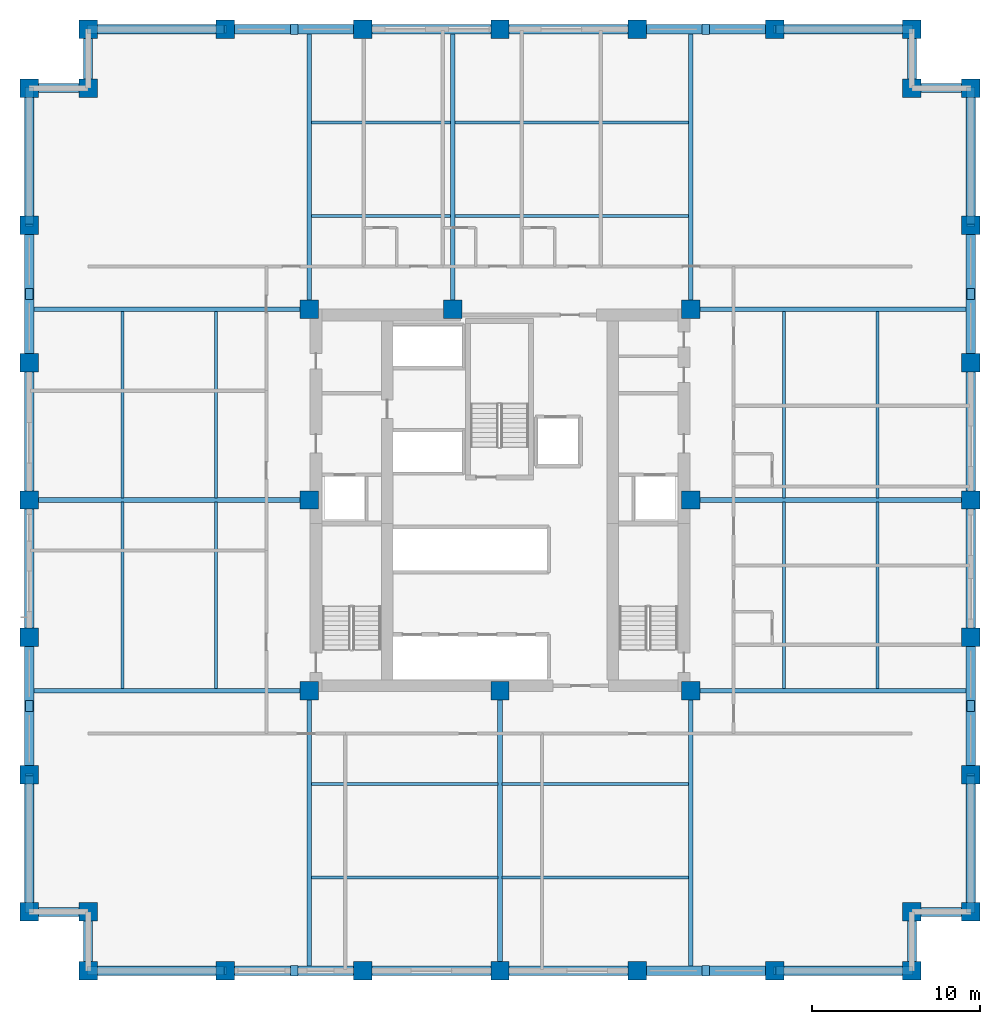
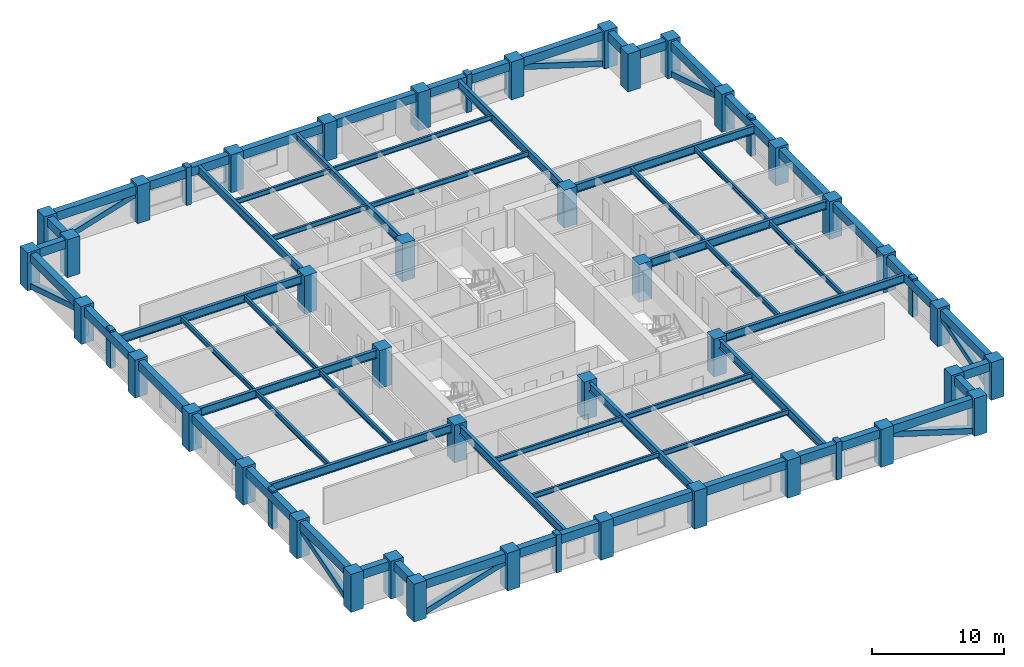
# One storey, part 1 of 8: 60 beams, 40 columns, 16 members.
"""IFC4 building model written with IfcOpenShell, lengths in metres."""

from ifc_helpers import new_model, si_unit, direction, frame, origin, origin_2d, place, context, subcontext, project, spatial, rectangle, hollow_rectangle, i_section, extrude, material, material_profile, profile_set, type_object, element, save


model = new_model("IFC4")

# Units and contexts
model_context = context("Model", 3, precision=1e-05, world=origin(), true_north=direction((0.0, 1.0)))
body_context = subcontext(model_context, "Body", "Model", "MODEL_VIEW")
ifc_project = project(units=[si_unit("LENGTHUNIT", "METRE"), si_unit("AREAUNIT", "SQUARE_METRE"), si_unit("VOLUMEUNIT", "CUBIC_METRE"), si_unit("PLANEANGLEUNIT", "RADIAN"), si_unit("MASSUNIT", "GRAM", prefix="KILO")], contexts=[model_context])

# Site, building, storey
site_placement = place(None, origin())
site = spatial("IfcSite", under=ifc_project, at=site_placement, CompositionType="ELEMENT")
building_placement = place(site_placement, origin())
building = spatial("IfcBuilding", under=site, at=building_placement, Name="Nhamokura Convention Tower", CompositionType="ELEMENT")
storey_placement = place(building_placement, frame((0.0, 0.0, 56.35009765625)))
storey = spatial("IfcBuildingStorey", under=building, at=storey_placement, Name="L12", CompositionType="ELEMENT", Elevation=56.35009765625)

# Columns
ifc_material_1 = material(Name="Concrete C60/75", Category="concrete")
ifc_material_profile_1 = material_profile(ifc_material_1, rectangle(XDim=1.10009765625, YDim=1.10009765625, at=origin_2d()))
ifc_profile_set_1 = profile_set([ifc_material_profile_1], Name="Concrete C60/75")
column_type = type_object("IfcColumnType", Name="TubeColumn_Z1_1100", PredefinedType="COLUMN", material=ifc_profile_set_1)
for number, where, z_axis, x_axis, name in (
    (1, (20.64990234375, 20.64990234375, 0.0), (0.0, 0.0, 1.0), (1.0, 0.0, 0.0), "L12 Core Column CC-SW"),
    (2, (32.0, 20.64990234375, 0.0), (0.0, 0.0, 1.0), (1.0, 0.0, 0.0), "L12 Core Column CC-S"),
    (3, (43.35009765625, 20.64990234375, 0.0), (0.0, 0.0, 1.0), (1.0, 0.0, 0.0), "L12 Core Column CC-SE"),
    (4, (43.35009765625, 32.0, 0.0), (0.0, 0.0, 1.0), (1.0, 0.0, 0.0), "L12 Core Column CC-E"),
    (5, (43.35009765625, 43.35009765625, 0.0), (0.0, 0.0, 1.0), (1.0, 0.0, 0.0), "L12 Core Column CC-NE"),
    (6, (29.199951171875, 43.35009765625, 0.0), (0.0, 0.0, 1.0), (1.0, 0.0, 0.0), "L12 Core Column CC-N"),
    (7, (20.64990234375, 43.35009765625, 0.0), (0.0, 0.0, 1.0), (1.0, 0.0, 0.0), "L12 Core Column CC-NW"),
    (8, (20.64990234375, 32.0, 0.0), (0.0, 0.0, 1.0), (1.0, 0.0, 0.0), "L12 Core Column CC-W"),
    (9, (7.5, 4.0, 0.0), (0.0, 0.0, 1.0), (1.0, 0.0, 0.0), "L12 Perimeter Tube Column SW1"),
    (10, (7.5, 7.5, 0.0), (0.0, 0.0, 1.0), (1.0, 0.0, 0.0), "L12 Perimeter Tube Column SW0"),
    (11, (4.0, 7.5, 0.0), (0.0, 0.0, 1.0), (1.0, 0.0, 0.0), "L12 Perimeter Tube Column SW2"),
    (12, (56.5, 4.0, 0.0), (0.0, 0.0, 1.0), (1.0, 0.0, 0.0), "L12 Perimeter Tube Column SE1"),
    (13, (56.5, 7.5, 0.0), (0.0, 0.0, 1.0), (1.0, 0.0, 0.0), "L12 Perimeter Tube Column SE0"),
    (14, (60.0, 7.5, 0.0), (0.0, 0.0, 1.0), (1.0, 0.0, 0.0), "L12 Perimeter Tube Column SE2"),
    (15, (60.0, 56.5, 0.0), (0.0, 0.0, 1.0), (1.0, 0.0, 0.0), "L12 Perimeter Tube Column NE1"),
    (16, (56.5, 56.5, 0.0), (0.0, 0.0, 1.0), (1.0, 0.0, 0.0), "L12 Perimeter Tube Column NE0"),
    (17, (56.5, 60.0, 0.0), (0.0, 0.0, 1.0), (1.0, 0.0, 0.0), "L12 Perimeter Tube Column NE2"),
    (18, (7.5, 60.0, 0.0), (0.0, 0.0, 1.0), (1.0, 0.0, 0.0), "L12 Perimeter Tube Column NW1"),
    (19, (7.5, 56.5, 0.0), (0.0, 0.0, 1.0), (1.0, 0.0, 0.0), "L12 Perimeter Tube Column NW0"),
    (20, (4.0, 56.5, 0.0), (0.0, 0.0, 1.0), (1.0, 0.0, 0.0), "L12 Perimeter Tube Column NW2"),
    (21, (15.666748046875, 4.0, 0.0), (0.0, 0.0, 1.0), (1.0, 0.0, 0.0), "L12 Perimeter Tube Column S1"),
    (22, (15.666748046875, 60.0, 0.0), (0.0, 0.0, 1.0), (1.0, 0.0, 0.0), "L12 Perimeter Tube Column N1"),
    (23, (4.0, 15.666748046875, 0.0), (0.0, 0.0, 1.0), (1.0, 0.0, 0.0), "L12 Perimeter Tube Column W1"),
    (24, (60.0, 15.666748046875, 0.0), (0.0, 0.0, 1.0), (1.0, 0.0, 0.0), "L12 Perimeter Tube Column E1"),
    (25, (23.833251953125, 4.0, 0.0), (0.0, 0.0, 1.0), (1.0, 0.0, 0.0), "L12 Perimeter Tube Column S2"),
    (26, (23.833251953125, 60.0, 0.0), (0.0, 0.0, 1.0), (1.0, 0.0, 0.0), "L12 Perimeter Tube Column N2"),
    (27, (4.0, 23.833251953125, 0.0), (0.0, 0.0, 1.0), (1.0, 0.0, 0.0), "L12 Perimeter Tube Column W2"),
    (28, (60.0, 23.833251953125, 0.0), (0.0, 0.0, 1.0), (1.0, 0.0, 0.0), "L12 Perimeter Tube Column E2"),
    (29, (32.0, 4.0, 0.0), (0.0, 0.0, 1.0), (1.0, 0.0, 0.0), "L12 Perimeter Tube Column S3"),
    (30, (32.0, 60.0, 0.0), (0.0, 0.0, 1.0), (1.0, 0.0, 0.0), "L12 Perimeter Tube Column N3"),
    (31, (4.0, 32.0, 0.0), (0.0, 0.0, 1.0), (1.0, 0.0, 0.0), "L12 Perimeter Tube Column W3"),
    (32, (60.0, 32.0, 0.0), (0.0, 0.0, 1.0), (1.0, 0.0, 0.0), "L12 Perimeter Tube Column E3"),
    (33, (40.166748046875, 4.0, 0.0), (0.0, 0.0, 1.0), (1.0, 0.0, 0.0), "L12 Perimeter Tube Column S4"),
    (34, (40.166748046875, 60.0, 0.0), (0.0, 0.0, 1.0), (1.0, 0.0, 0.0), "L12 Perimeter Tube Column N4"),
    (35, (4.0, 40.166748046875, 0.0), (0.0, 0.0, 1.0), (1.0, 0.0, 0.0), "L12 Perimeter Tube Column W4"),
    (36, (60.0, 40.166748046875, 0.0), (0.0, 0.0, 1.0), (1.0, 0.0, 0.0), "L12 Perimeter Tube Column E4"),
    (37, (48.333251953125, 4.0, 0.0), (0.0, 0.0, 1.0), (1.0, 0.0, 0.0), "L12 Perimeter Tube Column S5"),
    (38, (48.333251953125, 60.0, 0.0), (0.0, 0.0, 1.0), (1.0, 0.0, 0.0), "L12 Perimeter Tube Column N5"),
    (39, (4.0, 48.333251953125, 0.0), (0.0, 0.0, 1.0), (1.0, 0.0, 0.0), "L12 Perimeter Tube Column W5"),
    (40, (60.0, 48.333251953125, 0.0), (0.0, 0.0, 1.0), (1.0, 0.0, 0.0), "L12 Perimeter Tube Column E5"),
):
    element("IfcColumn", number, at=place(storey_placement, frame(where, z_axis=z_axis, x_axis=x_axis)), inside=storey, type_object=column_type, Name=name, PredefinedType="COLUMN", context=body_context, shape_type="SweptSolid", body=[
        extrude(rectangle(XDim=1.10009765625, YDim=1.10009765625, at=origin_2d()), origin(), (0.0, 0.0, 1.0), 3.5),
    ])

# Members
ifc_material_2 = material(Name="Bronze-pigmented precast concrete C45/55", Category="concrete")
ifc_material_profile_2 = material_profile(ifc_material_2, rectangle(XDim=0.449951171875, YDim=0.64990234375, at=origin_2d()))
ifc_profile_set_2 = profile_set([ifc_material_profile_2], Name="Bronze-pigmented precast concrete C45/55")
member_type_1 = type_object("IfcMemberType", Name="BronzePilaster_650", PredefinedType="USERDEFINED", material=ifc_profile_set_2)
for number, where, z_axis, x_axis, name in (
    (41, (19.75, 4.0, 0.0), (0.0, 0.0, 1.0), (1.0, 0.0, 0.0), "L12 Engaged Frame Pilaster SOUTH 1"),
    (42, (44.25, 4.0, 0.0), (0.0, 0.0, 1.0), (1.0, 0.0, 0.0), "L12 Engaged Frame Pilaster SOUTH 4"),
    (43, (19.75, 60.0, 0.0), (0.0, 0.0, 1.0), (1.0, 0.0, 0.0), "L12 Engaged Frame Pilaster NORTH 1"),
    (44, (44.25, 60.0, 0.0), (0.0, 0.0, 1.0), (1.0, 0.0, 0.0), "L12 Engaged Frame Pilaster NORTH 4"),
    (45, (4.0, 19.75, 0.0), (0.0, 0.0, 1.0), (1.0, 0.0, 0.0), "L12 Engaged Frame Pilaster WEST 1"),
    (46, (4.0, 44.25, 0.0), (0.0, 0.0, 1.0), (1.0, 0.0, 0.0), "L12 Engaged Frame Pilaster WEST 4"),
    (47, (60.0, 19.75, 0.0), (0.0, 0.0, 1.0), (1.0, 0.0, 0.0), "L12 Engaged Frame Pilaster EAST 1"),
    (48, (60.0, 44.25, 0.0), (0.0, 0.0, 1.0), (1.0, 0.0, 0.0), "L12 Engaged Frame Pilaster EAST 4"),
):
    element("IfcMember", number, at=place(storey_placement, frame(where, z_axis=z_axis, x_axis=x_axis)), inside=storey, type_object=member_type_1, Name=name, ObjectType="PILASTER_TRIM", PredefinedType="USERDEFINED", context=body_context, shape_type="SweptSolid", body=[
        extrude(rectangle(XDim=0.449951171875, YDim=0.64990234375, at=origin_2d()), origin(), (0.0, 0.0, 1.0), 3.5),
    ])

# Beams
ifc_material_3 = material(Name="Steel ASTM A992 Gr 50", Category="steel")
ifc_material_profile_3 = material_profile(ifc_material_3, i_section(OverallWidth=0.18994140625, OverallDepth=0.45703125, WebThickness=0.009033203125, FlangeThickness=0.014404296875, at=origin_2d()))
ifc_profile_set_3 = profile_set([ifc_material_profile_3], Name="Steel ASTM A992 Gr 50")
beam_type_1 = type_object("IfcBeamType", Name="FloorJoist_W460X74", PredefinedType="JOIST", material=ifc_profile_set_3)
for number, where, z_axis, x_axis, name in (
    (49, (20.781982421875, 9.550048828125, 3.09130859375), (1.0, 0.0, 0.0), (0.0, 1.0, 0.0), "L12 Composite Floor Joist S1A"),
    (50, (32.132080078125, 9.550048828125, 3.09130859375), (1.0, 0.0, 0.0), (0.0, 1.0, 0.0), "L12 Composite Floor Joist S1B"),
    (51, (20.781982421875, 15.10009765625, 3.09130859375), (1.0, 0.0, 0.0), (0.0, 1.0, 0.0), "L12 Composite Floor Joist S2A"),
    (52, (32.132080078125, 15.10009765625, 3.09130859375), (1.0, 0.0, 0.0), (0.0, 1.0, 0.0), "L12 Composite Floor Joist S2B"),
):
    element("IfcBeam", number, at=place(storey_placement, frame(where, z_axis=z_axis, x_axis=x_axis)), inside=storey, type_object=beam_type_1, Name=name, PredefinedType="JOIST", context=body_context, shape_type="SweptSolid", body=[
        extrude(i_section(OverallWidth=0.18994140625, OverallDepth=0.45703125, WebThickness=0.009033203125, FlangeThickness=0.014404296875, at=origin_2d()), origin(), (0.0, 0.0, 1.0), 11.0859375),
    ])
beam_1_placement = place(storey_placement, frame((20.781982421875, 48.89990234375, 3.09130859375), z_axis=(1.0, 0.0, 0.0), x_axis=(0.0, 1.0, 0.0)))
element("IfcBeam", 53, at=beam_1_placement, inside=storey, type_object=beam_type_1, Name="L12 Composite Floor Joist N1A", PredefinedType="JOIST", context=body_context, shape_type="SweptSolid", body=[
    extrude(i_section(OverallWidth=0.18994140625, OverallDepth=0.45703125, WebThickness=0.009033203125, FlangeThickness=0.014404296875, at=origin_2d()), origin(), (0.0, 0.0, 1.0), 8.2861328125),
])
beam_2_placement = place(storey_placement, frame((29.33203125, 48.89990234375, 3.09130859375), z_axis=(1.0, 0.0, 0.0), x_axis=(0.0, 1.0, 0.0)))
element("IfcBeam", 54, at=beam_2_placement, inside=storey, type_object=beam_type_1, Name="L12 Composite Floor Joist N1B", PredefinedType="JOIST", context=body_context, shape_type="SweptSolid", body=[
    extrude(i_section(OverallWidth=0.18994140625, OverallDepth=0.45703125, WebThickness=0.009033203125, FlangeThickness=0.014404296875, at=origin_2d()), origin(), (0.0, 0.0, 1.0), 13.885986328125),
])
beam_3_placement = place(storey_placement, frame((20.781982421875, 54.449951171875, 3.09130859375), z_axis=(1.0, 0.0, 0.0), x_axis=(0.0, 1.0, 0.0)))
element("IfcBeam", 55, at=beam_3_placement, inside=storey, type_object=beam_type_1, Name="L12 Composite Floor Joist N2A", PredefinedType="JOIST", context=body_context, shape_type="SweptSolid", body=[
    extrude(i_section(OverallWidth=0.18994140625, OverallDepth=0.45703125, WebThickness=0.009033203125, FlangeThickness=0.014404296875, at=origin_2d()), origin(), (0.0, 0.0, 1.0), 8.2861328125),
])
beam_4_placement = place(storey_placement, frame((29.33203125, 54.449951171875, 3.09130859375), z_axis=(1.0, 0.0, 0.0), x_axis=(0.0, 1.0, 0.0)))
element("IfcBeam", 56, at=beam_4_placement, inside=storey, type_object=beam_type_1, Name="L12 Composite Floor Joist N2B", PredefinedType="JOIST", context=body_context, shape_type="SweptSolid", body=[
    extrude(i_section(OverallWidth=0.18994140625, OverallDepth=0.45703125, WebThickness=0.009033203125, FlangeThickness=0.014404296875, at=origin_2d()), origin(), (0.0, 0.0, 1.0), 13.885986328125),
])
for number, where, z_axis, x_axis, name in (
    (57, (9.550048828125, 20.781982421875, 3.09130859375), (0.0, 1.0, 0.0), (-1.0, 0.0, 0.0), "L12 Composite Floor Joist W1A"),
    (58, (9.550048828125, 32.132080078125, 3.09130859375), (0.0, 1.0, 0.0), (-1.0, 0.0, 0.0), "L12 Composite Floor Joist W1B"),
    (59, (15.10009765625, 20.781982421875, 3.09130859375), (0.0, 1.0, 0.0), (-1.0, 0.0, 0.0), "L12 Composite Floor Joist W2A"),
    (60, (15.10009765625, 32.132080078125, 3.09130859375), (0.0, 1.0, 0.0), (-1.0, 0.0, 0.0), "L12 Composite Floor Joist W2B"),
    (61, (48.89990234375, 20.781982421875, 3.09130859375), (0.0, 1.0, 0.0), (-1.0, 0.0, 0.0), "L12 Composite Floor Joist E1A"),
    (62, (48.89990234375, 32.132080078125, 3.09130859375), (0.0, 1.0, 0.0), (-1.0, 0.0, 0.0), "L12 Composite Floor Joist E1B"),
    (63, (54.449951171875, 20.781982421875, 3.09130859375), (0.0, 1.0, 0.0), (-1.0, 0.0, 0.0), "L12 Composite Floor Joist E2A"),
    (64, (54.449951171875, 32.132080078125, 3.09130859375), (0.0, 1.0, 0.0), (-1.0, 0.0, 0.0), "L12 Composite Floor Joist E2B"),
):
    element("IfcBeam", number, at=place(storey_placement, frame(where, z_axis=z_axis, x_axis=x_axis)), inside=storey, type_object=beam_type_1, Name=name, PredefinedType="JOIST", context=body_context, shape_type="SweptSolid", body=[
        extrude(i_section(OverallWidth=0.18994140625, OverallDepth=0.45703125, WebThickness=0.009033203125, FlangeThickness=0.014404296875, at=origin_2d()), origin(), (0.0, 0.0, 1.0), 11.0859375),
    ])
ifc_material_4 = material(Name="Steel ASTM A992 Gr 50", Category="steel")
ifc_material_profile_4 = material_profile(ifc_material_4, i_section(OverallWidth=0.26806640625, OverallDepth=0.77001953125, WebThickness=0.015625, FlangeThickness=0.025390625, at=origin_2d()))
ifc_profile_set_4 = profile_set([ifc_material_profile_4], Name="Steel ASTM A992 Gr 50")
beam_type_2 = type_object("IfcBeamType", Name="PrimaryGirder_W760X196", PredefinedType="BEAM", material=ifc_profile_set_4)
for number, where, z_axis, x_axis, name in (
    (65, (20.64990234375, 4.0, 2.934814453125), (0.0, 1.0, 0.0), (-1.0, 0.0, 0.0), "L12 Primary Floor Girder PG-S1"),
    (66, (32.0, 4.0, 2.934814453125), (0.0, 1.0, 0.0), (-1.0, 0.0, 0.0), "L12 Primary Floor Girder PG-S2"),
    (67, (43.35009765625, 4.0, 2.934814453125), (0.0, 1.0, 0.0), (-1.0, 0.0, 0.0), "L12 Primary Floor Girder PG-S3"),
    (68, (20.64990234375, 43.35009765625, 2.934814453125), (0.0, 1.0, 0.0), (-1.0, 0.0, 0.0), "L12 Primary Floor Girder PG-N1"),
    (69, (29.199951171875, 43.35009765625, 2.934814453125), (0.0, 1.0, 0.0), (-1.0, 0.0, 0.0), "L12 Primary Floor Girder PG-N2"),
    (70, (43.35009765625, 43.35009765625, 2.934814453125), (0.0, 1.0, 0.0), (-1.0, 0.0, 0.0), "L12 Primary Floor Girder PG-N3"),
    (71, (4.0, 20.64990234375, 2.934814453125), (1.0, 0.0, 0.0), (0.0, 1.0, 0.0), "L12 Primary Floor Girder PG-W1"),
    (72, (4.0, 32.0, 2.934814453125), (1.0, 0.0, 0.0), (0.0, 1.0, 0.0), "L12 Primary Floor Girder PG-W2"),
    (73, (4.0, 43.35009765625, 2.934814453125), (1.0, 0.0, 0.0), (0.0, 1.0, 0.0), "L12 Primary Floor Girder PG-W3"),
    (74, (43.35009765625, 20.64990234375, 2.934814453125), (1.0, 0.0, 0.0), (0.0, 1.0, 0.0), "L12 Primary Floor Girder PG-E1"),
    (75, (43.35009765625, 32.0, 2.934814453125), (1.0, 0.0, 0.0), (0.0, 1.0, 0.0), "L12 Primary Floor Girder PG-E2"),
    (76, (43.35009765625, 43.35009765625, 2.934814453125), (1.0, 0.0, 0.0), (0.0, 1.0, 0.0), "L12 Primary Floor Girder PG-E3"),
):
    element("IfcBeam", number, at=place(storey_placement, frame(where, z_axis=z_axis, x_axis=x_axis)), inside=storey, type_object=beam_type_2, Name=name, PredefinedType="BEAM", context=body_context, shape_type="SweptSolid", body=[
        extrude(i_section(OverallWidth=0.26806640625, OverallDepth=0.77001953125, WebThickness=0.015625, FlangeThickness=0.025390625, at=origin_2d()), origin(), (0.0, 0.0, 1.0), 16.64990234375),
    ])

# Members
ifc_material_5 = material(Name="Steel ASTM A572 Gr 50", Category="steel")
ifc_material_profile_5 = material_profile(ifc_material_5, hollow_rectangle(XDim=0.5, YDim=0.5, WallThickness=0.02490234375, at=origin_2d()))
ifc_profile_set_5 = profile_set([ifc_material_profile_5], Name="Steel ASTM A572 Gr 50")
member_type_2 = type_object("IfcMemberType", Name="TubeBrace_HSS500", PredefinedType="BRACE", material=ifc_profile_set_5)
for number, where, z_axis, x_axis, name in (
    (77, (7.5, 4.0, 0.14990234375), (0.955542765986, 0.0, 0.294852543437), (0.0, 1.0, 0.0), "L12 Perimeter Tube Brace SOUTH Bay 0"),
    (78, (56.5, 4.0, 0.14990234375), (-0.955542765986, 0.0, 0.294852543437), (0.0, -1.0, 0.0), "L12 Perimeter Tube Brace SOUTH Bay 5"),
    (79, (7.5, 60.0, 0.14990234375), (0.955542765986, 0.0, 0.294852543437), (0.0, 1.0, 0.0), "L12 Perimeter Tube Brace NORTH Bay 0"),
    (80, (56.5, 60.0, 0.14990234375), (-0.955542765986, 0.0, 0.294852543437), (0.0, -1.0, 0.0), "L12 Perimeter Tube Brace NORTH Bay 5"),
    (81, (4.0, 7.5, 0.14990234375), (0.0, 0.955542765986, 0.294852543437), (-1.0, 0.0, 0.0), "L12 Perimeter Tube Brace WEST Bay 0"),
    (82, (4.0, 56.5, 0.14990234375), (0.0, -0.955542765986, 0.294852543437), (1.0, 0.0, 0.0), "L12 Perimeter Tube Brace WEST Bay 5"),
    (83, (60.0, 7.5, 0.14990234375), (0.0, 0.955542765986, 0.294852543437), (-1.0, 0.0, 0.0), "L12 Perimeter Tube Brace EAST Bay 0"),
    (84, (60.0, 56.5, 0.14990234375), (0.0, -0.955542765986, 0.294852543437), (1.0, 0.0, 0.0), "L12 Perimeter Tube Brace EAST Bay 5"),
):
    element("IfcMember", number, at=place(storey_placement, frame(where, z_axis=z_axis, x_axis=x_axis)), inside=storey, type_object=member_type_2, Name=name, PredefinedType="BRACE", context=body_context, shape_type="SweptSolid", body=[
        extrude(hollow_rectangle(XDim=0.5, YDim=0.5, WallThickness=0.02490234375, at=origin_2d()), origin(), (0.0, 0.0, 1.0), 8.546630859375),
    ])

# Beams
ifc_material_6 = material(Name="Concrete C50/60", Category="concrete")
ifc_material_profile_6 = material_profile(ifc_material_6, rectangle(XDim=0.550048828125, YDim=0.800048828125, at=origin_2d()))
ifc_profile_set_6 = profile_set([ifc_material_profile_6], Name="Concrete C50/60")
beam_type_3 = type_object("IfcBeamType", Name="TubeSpandrel_800", PredefinedType="SPANDREL", material=ifc_profile_set_6)
beam_5_placement = place(storey_placement, frame((7.5, 4.0, 2.919921875), z_axis=(1.0, 0.0, 0.0), x_axis=(0.0, 1.0, 0.0)))
element("IfcBeam", 85, at=beam_5_placement, inside=storey, type_object=beam_type_3, Name="L12 Perimeter Spandrel SOUTH 1", PredefinedType="SPANDREL", context=body_context, shape_type="SweptSolid", body=[
    extrude(rectangle(XDim=0.550048828125, YDim=0.800048828125, at=origin_2d()), origin(), (0.0, 0.0, 1.0), 8.166748046875),
])
beam_6_placement = place(storey_placement, frame((15.666748046875, 4.0, 2.919921875), z_axis=(1.0, 0.0, 0.0), x_axis=(0.0, 1.0, 0.0)))
element("IfcBeam", 86, at=beam_6_placement, inside=storey, type_object=beam_type_3, Name="L12 Perimeter Spandrel SOUTH 2", PredefinedType="SPANDREL", context=body_context, shape_type="SweptSolid", body=[
    extrude(rectangle(XDim=0.550048828125, YDim=0.800048828125, at=origin_2d()), origin(), (0.0, 0.0, 1.0), 8.16650390625),
])
for number, where, z_axis, x_axis, name in (
    (87, (23.833251953125, 4.0, 2.919921875), (1.0, 0.0, 0.0), (0.0, 1.0, 0.0), "L12 Perimeter Spandrel SOUTH 3"),
    (88, (32.0, 4.0, 2.919921875), (1.0, 0.0, 0.0), (0.0, 1.0, 0.0), "L12 Perimeter Spandrel SOUTH 4"),
):
    element("IfcBeam", number, at=place(storey_placement, frame(where, z_axis=z_axis, x_axis=x_axis)), inside=storey, type_object=beam_type_3, Name=name, PredefinedType="SPANDREL", context=body_context, shape_type="SweptSolid", body=[
        extrude(rectangle(XDim=0.550048828125, YDim=0.800048828125, at=origin_2d()), origin(), (0.0, 0.0, 1.0), 8.166748046875),
    ])
beam_7_placement = place(storey_placement, frame((40.166748046875, 4.0, 2.919921875), z_axis=(1.0, 0.0, 0.0), x_axis=(0.0, 1.0, 0.0)))
element("IfcBeam", 89, at=beam_7_placement, inside=storey, type_object=beam_type_3, Name="L12 Perimeter Spandrel SOUTH 5", PredefinedType="SPANDREL", context=body_context, shape_type="SweptSolid", body=[
    extrude(rectangle(XDim=0.550048828125, YDim=0.800048828125, at=origin_2d()), origin(), (0.0, 0.0, 1.0), 8.16650390625),
])
for number, where, z_axis, x_axis, name in (
    (90, (48.333251953125, 4.0, 2.919921875), (1.0, 0.0, 0.0), (0.0, 1.0, 0.0), "L12 Perimeter Spandrel SOUTH 6"),
    (91, (7.5, 60.0, 2.919921875), (1.0, 0.0, 0.0), (0.0, 1.0, 0.0), "L12 Perimeter Spandrel NORTH 1"),
):
    element("IfcBeam", number, at=place(storey_placement, frame(where, z_axis=z_axis, x_axis=x_axis)), inside=storey, type_object=beam_type_3, Name=name, PredefinedType="SPANDREL", context=body_context, shape_type="SweptSolid", body=[
        extrude(rectangle(XDim=0.550048828125, YDim=0.800048828125, at=origin_2d()), origin(), (0.0, 0.0, 1.0), 8.166748046875),
    ])
beam_8_placement = place(storey_placement, frame((15.666748046875, 60.0, 2.919921875), z_axis=(1.0, 0.0, 0.0), x_axis=(0.0, 1.0, 0.0)))
element("IfcBeam", 92, at=beam_8_placement, inside=storey, type_object=beam_type_3, Name="L12 Perimeter Spandrel NORTH 2", PredefinedType="SPANDREL", context=body_context, shape_type="SweptSolid", body=[
    extrude(rectangle(XDim=0.550048828125, YDim=0.800048828125, at=origin_2d()), origin(), (0.0, 0.0, 1.0), 8.16650390625),
])
for number, where, z_axis, x_axis, name in (
    (93, (23.833251953125, 60.0, 2.919921875), (1.0, 0.0, 0.0), (0.0, 1.0, 0.0), "L12 Perimeter Spandrel NORTH 3"),
    (94, (32.0, 60.0, 2.919921875), (1.0, 0.0, 0.0), (0.0, 1.0, 0.0), "L12 Perimeter Spandrel NORTH 4"),
):
    element("IfcBeam", number, at=place(storey_placement, frame(where, z_axis=z_axis, x_axis=x_axis)), inside=storey, type_object=beam_type_3, Name=name, PredefinedType="SPANDREL", context=body_context, shape_type="SweptSolid", body=[
        extrude(rectangle(XDim=0.550048828125, YDim=0.800048828125, at=origin_2d()), origin(), (0.0, 0.0, 1.0), 8.166748046875),
    ])
beam_9_placement = place(storey_placement, frame((40.166748046875, 60.0, 2.919921875), z_axis=(1.0, 0.0, 0.0), x_axis=(0.0, 1.0, 0.0)))
element("IfcBeam", 95, at=beam_9_placement, inside=storey, type_object=beam_type_3, Name="L12 Perimeter Spandrel NORTH 5", PredefinedType="SPANDREL", context=body_context, shape_type="SweptSolid", body=[
    extrude(rectangle(XDim=0.550048828125, YDim=0.800048828125, at=origin_2d()), origin(), (0.0, 0.0, 1.0), 8.16650390625),
])
for number, where, z_axis, x_axis, name in (
    (96, (48.333251953125, 60.0, 2.919921875), (1.0, 0.0, 0.0), (0.0, 1.0, 0.0), "L12 Perimeter Spandrel NORTH 6"),
    (97, (4.0, 7.5, 2.919921875), (0.0, 1.0, 0.0), (-1.0, 0.0, 0.0), "L12 Perimeter Spandrel WEST 1"),
):
    element("IfcBeam", number, at=place(storey_placement, frame(where, z_axis=z_axis, x_axis=x_axis)), inside=storey, type_object=beam_type_3, Name=name, PredefinedType="SPANDREL", context=body_context, shape_type="SweptSolid", body=[
        extrude(rectangle(XDim=0.550048828125, YDim=0.800048828125, at=origin_2d()), origin(), (0.0, 0.0, 1.0), 8.166748046875),
    ])
beam_10_placement = place(storey_placement, frame((4.0, 15.666748046875, 2.919921875), z_axis=(0.0, 1.0, 0.0), x_axis=(-1.0, 0.0, 0.0)))
element("IfcBeam", 98, at=beam_10_placement, inside=storey, type_object=beam_type_3, Name="L12 Perimeter Spandrel WEST 2", PredefinedType="SPANDREL", context=body_context, shape_type="SweptSolid", body=[
    extrude(rectangle(XDim=0.550048828125, YDim=0.800048828125, at=origin_2d()), origin(), (0.0, 0.0, 1.0), 8.16650390625),
])
for number, where, z_axis, x_axis, name in (
    (99, (4.0, 23.833251953125, 2.919921875), (0.0, 1.0, 0.0), (-1.0, 0.0, 0.0), "L12 Perimeter Spandrel WEST 3"),
    (100, (4.0, 32.0, 2.919921875), (0.0, 1.0, 0.0), (-1.0, 0.0, 0.0), "L12 Perimeter Spandrel WEST 4"),
):
    element("IfcBeam", number, at=place(storey_placement, frame(where, z_axis=z_axis, x_axis=x_axis)), inside=storey, type_object=beam_type_3, Name=name, PredefinedType="SPANDREL", context=body_context, shape_type="SweptSolid", body=[
        extrude(rectangle(XDim=0.550048828125, YDim=0.800048828125, at=origin_2d()), origin(), (0.0, 0.0, 1.0), 8.166748046875),
    ])
beam_11_placement = place(storey_placement, frame((4.0, 40.166748046875, 2.919921875), z_axis=(0.0, 1.0, 0.0), x_axis=(-1.0, 0.0, 0.0)))
element("IfcBeam", 101, at=beam_11_placement, inside=storey, type_object=beam_type_3, Name="L12 Perimeter Spandrel WEST 5", PredefinedType="SPANDREL", context=body_context, shape_type="SweptSolid", body=[
    extrude(rectangle(XDim=0.550048828125, YDim=0.800048828125, at=origin_2d()), origin(), (0.0, 0.0, 1.0), 8.16650390625),
])
for number, where, z_axis, x_axis, name in (
    (102, (4.0, 48.333251953125, 2.919921875), (0.0, 1.0, 0.0), (-1.0, 0.0, 0.0), "L12 Perimeter Spandrel WEST 6"),
    (103, (60.0, 7.5, 2.919921875), (0.0, 1.0, 0.0), (-1.0, 0.0, 0.0), "L12 Perimeter Spandrel EAST 1"),
):
    element("IfcBeam", number, at=place(storey_placement, frame(where, z_axis=z_axis, x_axis=x_axis)), inside=storey, type_object=beam_type_3, Name=name, PredefinedType="SPANDREL", context=body_context, shape_type="SweptSolid", body=[
        extrude(rectangle(XDim=0.550048828125, YDim=0.800048828125, at=origin_2d()), origin(), (0.0, 0.0, 1.0), 8.166748046875),
    ])
beam_12_placement = place(storey_placement, frame((60.0, 15.666748046875, 2.919921875), z_axis=(0.0, 1.0, 0.0), x_axis=(-1.0, 0.0, 0.0)))
element("IfcBeam", 104, at=beam_12_placement, inside=storey, type_object=beam_type_3, Name="L12 Perimeter Spandrel EAST 2", PredefinedType="SPANDREL", context=body_context, shape_type="SweptSolid", body=[
    extrude(rectangle(XDim=0.550048828125, YDim=0.800048828125, at=origin_2d()), origin(), (0.0, 0.0, 1.0), 8.16650390625),
])
for number, where, z_axis, x_axis, name in (
    (105, (60.0, 23.833251953125, 2.919921875), (0.0, 1.0, 0.0), (-1.0, 0.0, 0.0), "L12 Perimeter Spandrel EAST 3"),
    (106, (60.0, 32.0, 2.919921875), (0.0, 1.0, 0.0), (-1.0, 0.0, 0.0), "L12 Perimeter Spandrel EAST 4"),
):
    element("IfcBeam", number, at=place(storey_placement, frame(where, z_axis=z_axis, x_axis=x_axis)), inside=storey, type_object=beam_type_3, Name=name, PredefinedType="SPANDREL", context=body_context, shape_type="SweptSolid", body=[
        extrude(rectangle(XDim=0.550048828125, YDim=0.800048828125, at=origin_2d()), origin(), (0.0, 0.0, 1.0), 8.166748046875),
    ])
beam_13_placement = place(storey_placement, frame((60.0, 40.166748046875, 2.919921875), z_axis=(0.0, 1.0, 0.0), x_axis=(-1.0, 0.0, 0.0)))
element("IfcBeam", 107, at=beam_13_placement, inside=storey, type_object=beam_type_3, Name="L12 Perimeter Spandrel EAST 5", PredefinedType="SPANDREL", context=body_context, shape_type="SweptSolid", body=[
    extrude(rectangle(XDim=0.550048828125, YDim=0.800048828125, at=origin_2d()), origin(), (0.0, 0.0, 1.0), 8.16650390625),
])
beam_14_placement = place(storey_placement, frame((60.0, 48.333251953125, 2.919921875), z_axis=(0.0, 1.0, 0.0), x_axis=(-1.0, 0.0, 0.0)))
element("IfcBeam", 108, at=beam_14_placement, inside=storey, type_object=beam_type_3, Name="L12 Perimeter Spandrel EAST 6", PredefinedType="SPANDREL", context=body_context, shape_type="SweptSolid", body=[
    extrude(rectangle(XDim=0.550048828125, YDim=0.800048828125, at=origin_2d()), origin(), (0.0, 0.0, 1.0), 8.166748046875),
])
for number, where, z_axis, x_axis, name in (
    (109, (7.5, 4.0, 2.919921875), (0.0, 1.0, 0.0), (-1.0, 0.0, 0.0), "L12 Notch Spandrel SW1"),
    (110, (7.5, 7.5, 2.919921875), (-1.0, 0.0, 0.0), (0.0, -1.0, 0.0), "L12 Notch Spandrel SW2"),
    (111, (56.5, 4.0, 2.919921875), (0.0, 1.0, 0.0), (-1.0, 0.0, 0.0), "L12 Notch Spandrel SE1"),
    (112, (56.5, 7.5, 2.919921875), (1.0, 0.0, 0.0), (0.0, 1.0, 0.0), "L12 Notch Spandrel SE2"),
    (113, (60.0, 56.5, 2.919921875), (-1.0, 0.0, 0.0), (0.0, -1.0, 0.0), "L12 Notch Spandrel NE1"),
    (114, (56.5, 56.5, 2.919921875), (0.0, 1.0, 0.0), (-1.0, 0.0, 0.0), "L12 Notch Spandrel NE2"),
    (115, (7.5, 60.0, 2.919921875), (0.0, -1.0, 0.0), (1.0, 0.0, 0.0), "L12 Notch Spandrel NW1"),
    (116, (7.5, 56.5, 2.919921875), (-1.0, 0.0, 0.0), (0.0, -1.0, 0.0), "L12 Notch Spandrel NW2"),
):
    element("IfcBeam", number, at=place(storey_placement, frame(where, z_axis=z_axis, x_axis=x_axis)), inside=storey, type_object=beam_type_3, Name=name, PredefinedType="SPANDREL", context=body_context, shape_type="SweptSolid", body=[
        extrude(rectangle(XDim=0.550048828125, YDim=0.800048828125, at=origin_2d()), origin(), (0.0, 0.0, 1.0), 3.5),
    ])

save(model, "model.ifc")
